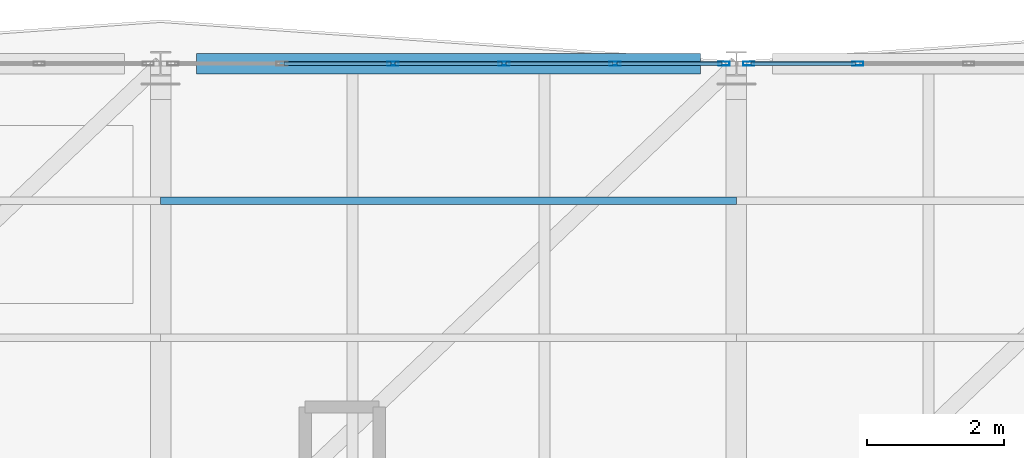
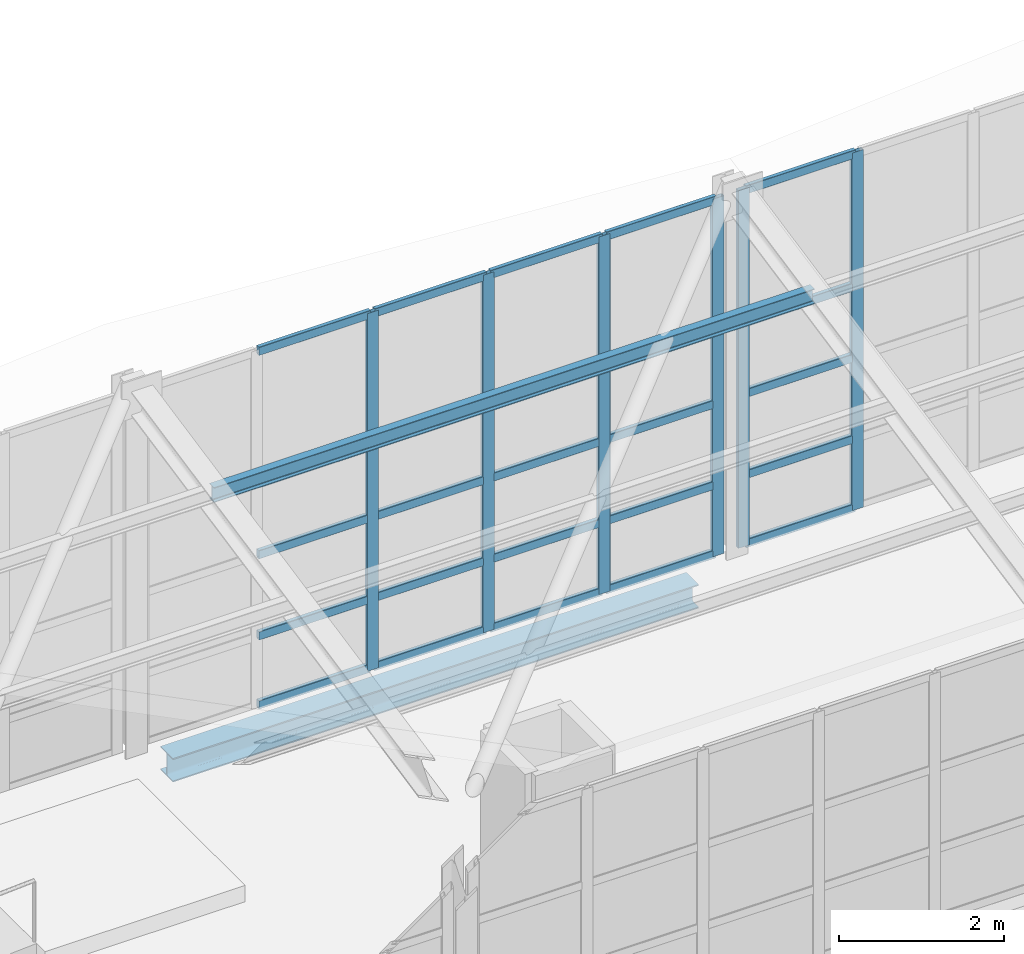
# One storey, part 110 of 177: 32 members, 1 beam, 2 elements without a shape of their own.
"""IFC4 building model written with IfcOpenShell, lengths in metres."""

from ifc_helpers import new_model, si_unit, direction, frame, origin, origin_2d, place, context, subcontext, project, spatial, hollow_rectangle, i_section, extrude, material, layer, layer_set, material_profile, profile_set, type_object, element, aggregate, save


model = new_model("IFC4")

# Units and contexts
model_context = context("Model", 3, precision=1e-05, world=origin(), true_north=direction((0.0, 1.0)))
body_context = subcontext(model_context, "Body", "Model", "MODEL_VIEW")
ifc_project = project(units=[si_unit("LENGTHUNIT", "METRE"), si_unit("AREAUNIT", "SQUARE_METRE"), si_unit("VOLUMEUNIT", "CUBIC_METRE"), si_unit("PLANEANGLEUNIT", "RADIAN"), si_unit("MASSUNIT", "GRAM", prefix="KILO"), si_unit("THERMODYNAMICTEMPERATUREUNIT", "KELVIN"), si_unit("POWERUNIT", "WATT")], contexts=[model_context])

# Site, building, storey
site_placement = place(None, origin())
site = spatial("IfcSite", under=ifc_project, at=site_placement, CompositionType="ELEMENT")
building_placement = place(site_placement, origin())
building = spatial("IfcBuilding", under=site, at=building_placement, Name="Mavoryth Pier Ferry Terminal", CompositionType="ELEMENT")
storey_placement = place(building_placement, frame((0.0, 0.0, 5.43994140625)))
storey = spatial("IfcBuildingStorey", under=building, at=storey_placement, Name="L01", CompositionType="ELEMENT", Elevation=5.43994140625)

# Curtain wall, members
ifc_material_1 = material(Name="Anodised Aluminium and Solar-Control Low-E Glass", Category="aluminium")
ifc_layer = layer(ifc_material_1, 0.139892578125, Name="Anodised Aluminium and Solar-Control Low-E Glass", Category="aluminium")
ifc_layer_set = layer_set([ifc_layer], Name="Anodised Aluminium and Solar-Control Low-E Glass - CW-Gallery-Mod1600")
curtain_wall_type = type_object("IfcCurtainWallType", Name="CW-Gallery-Mod1600", PredefinedType="USERDEFINED", material=ifc_layer_set)
curtain_wall_1_placement = place(storey_placement, origin())
curtain_wall_1 = element("IfcCurtainWall", 1, at=curtain_wall_1_placement, inside=storey, type_object=curtain_wall_type, Name="Curtain Wall CW-0122-086", ObjectType="UNITISED CURTAIN WALL", PredefinedType="USERDEFINED")
ifc_material_2 = material(Name="Anodised Aluminium EN AW-6063", Category="aluminium")
ifc_material_profile_1 = material_profile(ifc_material_2, hollow_rectangle(XDim=0.06005859375, YDim=0.1650390625, WallThickness=0.00390625, InnerFilletRadius=0.00390625, OuterFilletRadius=0.008056640625, at=origin_2d()), Name="AL-MULL 165x60x4", Category="aluminium")
ifc_profile_set_1 = profile_set([ifc_material_profile_1], Name="Anodised Aluminium EN AW-6063 - AL-MULL 165x60x4")
member_type_1 = type_object("IfcMemberType", Name="Mullion-Alum-165x60", PredefinedType="MULLION", material=ifc_profile_set_1)
member_1_placement = place(storey_placement, frame((117.419921875, 114.0, 0.0), z_axis=(0.0, 0.0, 1.0), x_axis=(0.0, -1.0, 0.0)))
member_1 = element("IfcMember", 2, at=member_1_placement, type_object=member_type_1, Name="CW05 mullion 1", PredefinedType="MULLION", context=body_context, shape_type="SweptSolid", body=[
    extrude(hollow_rectangle(XDim=0.06005859375, YDim=0.1650390625, WallThickness=0.00390625, InnerFilletRadius=0.00390625, OuterFilletRadius=0.008056640625, at=origin_2d()), origin(), (0.0, 0.0, 1.0), 5.28759765625),
])
member_2_placement = place(storey_placement, frame((115.830078125, 114.0, 0.0), z_axis=(0.0, 0.0, 1.0), x_axis=(0.0, -1.0, 0.0)))
member_2 = element("IfcMember", 3, at=member_2_placement, type_object=member_type_1, Name="CW05 mullion 2", PredefinedType="MULLION", context=body_context, shape_type="SweptSolid", body=[
    extrude(hollow_rectangle(XDim=0.06005859375, YDim=0.1650390625, WallThickness=0.00390625, InnerFilletRadius=0.00390625, OuterFilletRadius=0.008056640625, at=origin_2d()), origin(), (0.0, 0.0, 1.0), 5.28759765625),
])
member_3_placement = place(storey_placement, frame((114.2099609375, 114.0, 0.0), z_axis=(0.0, 0.0, 1.0), x_axis=(0.0, -1.0, 0.0)))
member_3 = element("IfcMember", 4, at=member_3_placement, type_object=member_type_1, Name="CW05 mullion 3", PredefinedType="MULLION", context=body_context, shape_type="SweptSolid", body=[
    extrude(hollow_rectangle(XDim=0.06005859375, YDim=0.1650390625, WallThickness=0.00390625, InnerFilletRadius=0.00390625, OuterFilletRadius=0.008056640625, at=origin_2d()), origin(), (0.0, 0.0, 1.0), 5.28759765625),
])
member_4_placement = place(storey_placement, frame((112.590087890625, 114.0, 0.0), z_axis=(0.0, 0.0, 1.0), x_axis=(0.0, -1.0, 0.0)))
member_4 = element("IfcMember", 5, at=member_4_placement, type_object=member_type_1, Name="CW05 mullion 4", PredefinedType="MULLION", context=body_context, shape_type="SweptSolid", body=[
    extrude(hollow_rectangle(XDim=0.06005859375, YDim=0.1650390625, WallThickness=0.00390625, InnerFilletRadius=0.00390625, OuterFilletRadius=0.008056640625, at=origin_2d()), origin(), (0.0, 0.0, 1.0), 5.28759765625),
])

curtain_wall_2_placement = place(storey_placement, origin())
curtain_wall_2 = element("IfcCurtainWall", 6, at=curtain_wall_2_placement, inside=storey, type_object=curtain_wall_type, Name="Curtain Wall CW-0122-088", ObjectType="UNITISED CURTAIN WALL", PredefinedType="USERDEFINED")
member_5_placement = place(storey_placement, frame((119.3701171875, 114.0, 0.0), z_axis=(0.0, 0.0, 1.0), x_axis=(0.0, -1.0, 0.0)))
member_5 = element("IfcMember", 7, at=member_5_placement, type_object=member_type_1, Name="CW05 mullion 5", PredefinedType="MULLION", context=body_context, shape_type="SweptSolid", body=[
    extrude(hollow_rectangle(XDim=0.06005859375, YDim=0.1650390625, WallThickness=0.00390625, InnerFilletRadius=0.00390625, OuterFilletRadius=0.008056640625, at=origin_2d()), origin(), (0.0, 0.0, 1.0), 5.28759765625),
])
member_6_placement = place(storey_placement, frame((117.780029296875, 114.0, 0.0), z_axis=(0.0, 0.0, 1.0), x_axis=(0.0, -1.0, 0.0)))
member_6 = element("IfcMember", 8, at=member_6_placement, type_object=member_type_1, Name="CW05 mullion 6", PredefinedType="MULLION", context=body_context, shape_type="SweptSolid", body=[
    extrude(hollow_rectangle(XDim=0.06005859375, YDim=0.1650390625, WallThickness=0.00390625, InnerFilletRadius=0.00390625, OuterFilletRadius=0.008056640625, at=origin_2d()), origin(), (0.0, 0.0, 1.0), 5.28759765625),
])

# Member
ifc_material_3 = material(Name="Steel S355J2", Category="steel")
ifc_material_profile_2 = material_profile(ifc_material_3, i_section(OverallWidth=0.110107421875, OverallDepth=0.219970703125, WebThickness=0.005859375, FlangeThickness=0.00927734375, FilletRadius=0.011962890625, at=origin_2d()), Name="IPE 220", Category="steel")
ifc_profile_set_2 = profile_set([ifc_material_profile_2], Name="Steel S355J2 - IPE 220")
member_type_2 = type_object("IfcMemberType", Name="Purlin-Roof-IPE220", PredefinedType="PURLIN", material=ifc_profile_set_2)
member_7_placement = place(storey_placement, frame((109.199951171875, 112.0, 4.991943359375), z_axis=(1.0, 0.0, 0.0), x_axis=(0.0, 1.0, 0.0)))
element("IfcMember", 9, at=member_7_placement, inside=storey, type_object=member_type_2, Name="Steel Member MB-L01-0280", PredefinedType="PURLIN", context=body_context, shape_type="SweptSolid", body=[
    extrude(i_section(OverallWidth=0.110107421875, OverallDepth=0.219970703125, WebThickness=0.005859375, FlangeThickness=0.00927734375, FilletRadius=0.011962890625, at=origin_2d()), origin(), (0.0, 0.0, 1.0), 8.400146484375),
])

# Beam
ifc_material_profile_3 = material_profile(ifc_material_3, i_section(OverallWidth=0.300048828125, OverallDepth=0.35009765625, WebThickness=0.010009765625, FlangeThickness=0.017578125, FilletRadius=0.027099609375, at=origin_2d()), Name="HEA 360", Category="steel")
ifc_profile_set_3 = profile_set([ifc_material_profile_3], Name="Steel S355J2 - HEA 360")
beam_type = type_object("IfcBeamType", Name="Spandrel-Steel-HEA360", PredefinedType="SPANDREL", material=ifc_profile_set_3)
beam_placement = place(storey_placement, frame((109.72509765625, 114.0, -0.4150390625), z_axis=(1.0, 0.0, 0.0), x_axis=(0.0, 1.0, 0.0)))
element("IfcBeam", 10, at=beam_placement, inside=storey, type_object=beam_type, Name="Beam B01-SP03-0273", PredefinedType="SPANDREL", context=body_context, shape_type="SweptSolid", body=[
    extrude(i_section(OverallWidth=0.300048828125, OverallDepth=0.35009765625, WebThickness=0.010009765625, FlangeThickness=0.017578125, FilletRadius=0.027099609375, at=origin_2d()), origin(), (0.0, 0.0, 1.0), 7.349853515625),
])

# Member
ifc_material_profile_4 = material_profile(ifc_material_2, hollow_rectangle(XDim=0.06005859375, YDim=0.125, WallThickness=0.00390625, InnerFilletRadius=0.00390625, OuterFilletRadius=0.008056640625, at=origin_2d()), Name="AL-TRAN 125x60x4", Category="aluminium")
ifc_profile_set_4 = profile_set([ifc_material_profile_4], Name="Anodised Aluminium EN AW-6063 - AL-TRAN 125x60x4")
member_type_3 = type_object("IfcMemberType", Name="Transom-Alum-125x60", PredefinedType="USERDEFINED", material=ifc_profile_set_4)
member_8_placement = place(storey_placement, frame((117.389892578125, 114.0, 0.030029296875), z_axis=(-1.0, 0.0, 0.0), x_axis=(0.0, -1.0, 0.0)))
member_8 = element("IfcMember", 11, at=member_8_placement, type_object=member_type_3, Name="CW05 transom 1.1", ObjectType="TRANSOM", PredefinedType="USERDEFINED", context=body_context, shape_type="SweptSolid", body=[
    extrude(hollow_rectangle(XDim=0.06005859375, YDim=0.125, WallThickness=0.00390625, InnerFilletRadius=0.00390625, OuterFilletRadius=0.008056640625, at=origin_2d()), origin(), (0.0, 0.0, 1.0), 1.52978515625),
])

member_9_placement = place(storey_placement, frame((117.389892578125, 114.0, 1.050048828125), z_axis=(-1.0, 0.0, 0.0), x_axis=(0.0, -1.0, 0.0)))
member_9 = element("IfcMember", 12, at=member_9_placement, type_object=member_type_3, Name="CW05 transom 1.2", ObjectType="TRANSOM", PredefinedType="USERDEFINED", context=body_context, shape_type="SweptSolid", body=[
    extrude(hollow_rectangle(XDim=0.06005859375, YDim=0.125, WallThickness=0.00390625, InnerFilletRadius=0.00390625, OuterFilletRadius=0.008056640625, at=origin_2d()), origin(), (0.0, 0.0, 1.0), 1.52978515625),
])

member_10_placement = place(storey_placement, frame((117.389892578125, 114.0, 2.25), z_axis=(-1.0, 0.0, 0.0), x_axis=(0.0, -1.0, 0.0)))
member_10 = element("IfcMember", 13, at=member_10_placement, type_object=member_type_3, Name="CW05 transom 1.3", ObjectType="TRANSOM", PredefinedType="USERDEFINED", context=body_context, shape_type="SweptSolid", body=[
    extrude(hollow_rectangle(XDim=0.06005859375, YDim=0.125, WallThickness=0.00390625, InnerFilletRadius=0.00390625, OuterFilletRadius=0.008056640625, at=origin_2d()), origin(), (0.0, 0.0, 1.0), 1.52978515625),
])

member_11_placement = place(storey_placement, frame((117.389892578125, 114.0, 3.300048828125), z_axis=(-1.0, 0.0, 0.0), x_axis=(0.0, -1.0, 0.0)))
member_11 = element("IfcMember", 14, at=member_11_placement, type_object=member_type_3, Name="CW05 transom 1.4", ObjectType="TRANSOM", PredefinedType="USERDEFINED", context=body_context, shape_type="SweptSolid", body=[
    extrude(hollow_rectangle(XDim=0.06005859375, YDim=0.125, WallThickness=0.00390625, InnerFilletRadius=0.00390625, OuterFilletRadius=0.008056640625, at=origin_2d()), origin(), (0.0, 0.0, 1.0), 1.52978515625),
])

member_12_placement = place(storey_placement, frame((117.389892578125, 114.0, 5.257568359375), z_axis=(-1.0, 0.0, 0.0), x_axis=(0.0, -1.0, 0.0)))
member_12 = element("IfcMember", 15, at=member_12_placement, type_object=member_type_3, Name="CW05 transom 1.5", ObjectType="TRANSOM", PredefinedType="USERDEFINED", context=body_context, shape_type="SweptSolid", body=[
    extrude(hollow_rectangle(XDim=0.06005859375, YDim=0.125, WallThickness=0.00390625, InnerFilletRadius=0.00390625, OuterFilletRadius=0.008056640625, at=origin_2d()), origin(), (0.0, 0.0, 1.0), 1.52978515625),
])

member_13_placement = place(storey_placement, frame((115.800048828125, 114.0, 0.030029296875), z_axis=(-1.0, 0.0, 0.0), x_axis=(0.0, -1.0, 0.0)))
member_13 = element("IfcMember", 16, at=member_13_placement, type_object=member_type_3, Name="CW05 transom 2.1", ObjectType="TRANSOM", PredefinedType="USERDEFINED", context=body_context, shape_type="SweptSolid", body=[
    extrude(hollow_rectangle(XDim=0.06005859375, YDim=0.125, WallThickness=0.00390625, InnerFilletRadius=0.00390625, OuterFilletRadius=0.008056640625, at=origin_2d()), origin(), (0.0, 0.0, 1.0), 1.56005859375),
])

member_14_placement = place(storey_placement, frame((115.800048828125, 114.0, 1.050048828125), z_axis=(-1.0, 0.0, 0.0), x_axis=(0.0, -1.0, 0.0)))
member_14 = element("IfcMember", 17, at=member_14_placement, type_object=member_type_3, Name="CW05 transom 2.2", ObjectType="TRANSOM", PredefinedType="USERDEFINED", context=body_context, shape_type="SweptSolid", body=[
    extrude(hollow_rectangle(XDim=0.06005859375, YDim=0.125, WallThickness=0.00390625, InnerFilletRadius=0.00390625, OuterFilletRadius=0.008056640625, at=origin_2d()), origin(), (0.0, 0.0, 1.0), 1.56005859375),
])

member_15_placement = place(storey_placement, frame((115.800048828125, 114.0, 2.25), z_axis=(-1.0, 0.0, 0.0), x_axis=(0.0, -1.0, 0.0)))
member_15 = element("IfcMember", 18, at=member_15_placement, type_object=member_type_3, Name="CW05 transom 2.3", ObjectType="TRANSOM", PredefinedType="USERDEFINED", context=body_context, shape_type="SweptSolid", body=[
    extrude(hollow_rectangle(XDim=0.06005859375, YDim=0.125, WallThickness=0.00390625, InnerFilletRadius=0.00390625, OuterFilletRadius=0.008056640625, at=origin_2d()), origin(), (0.0, 0.0, 1.0), 1.56005859375),
])

member_16_placement = place(storey_placement, frame((115.800048828125, 114.0, 3.300048828125), z_axis=(-1.0, 0.0, 0.0), x_axis=(0.0, -1.0, 0.0)))
member_16 = element("IfcMember", 19, at=member_16_placement, type_object=member_type_3, Name="CW05 transom 2.4", ObjectType="TRANSOM", PredefinedType="USERDEFINED", context=body_context, shape_type="SweptSolid", body=[
    extrude(hollow_rectangle(XDim=0.06005859375, YDim=0.125, WallThickness=0.00390625, InnerFilletRadius=0.00390625, OuterFilletRadius=0.008056640625, at=origin_2d()), origin(), (0.0, 0.0, 1.0), 1.56005859375),
])

member_17_placement = place(storey_placement, frame((115.800048828125, 114.0, 5.257568359375), z_axis=(-1.0, 0.0, 0.0), x_axis=(0.0, -1.0, 0.0)))
member_17 = element("IfcMember", 20, at=member_17_placement, type_object=member_type_3, Name="CW05 transom 2.5", ObjectType="TRANSOM", PredefinedType="USERDEFINED", context=body_context, shape_type="SweptSolid", body=[
    extrude(hollow_rectangle(XDim=0.06005859375, YDim=0.125, WallThickness=0.00390625, InnerFilletRadius=0.00390625, OuterFilletRadius=0.008056640625, at=origin_2d()), origin(), (0.0, 0.0, 1.0), 1.56005859375),
])

member_18_placement = place(storey_placement, frame((114.179931640625, 114.0, 0.030029296875), z_axis=(-1.0, 0.0, 0.0), x_axis=(0.0, -1.0, 0.0)))
member_18 = element("IfcMember", 21, at=member_18_placement, type_object=member_type_3, Name="CW05 transom 3.1", ObjectType="TRANSOM", PredefinedType="USERDEFINED", context=body_context, shape_type="SweptSolid", body=[
    extrude(hollow_rectangle(XDim=0.06005859375, YDim=0.125, WallThickness=0.00390625, InnerFilletRadius=0.00390625, OuterFilletRadius=0.008056640625, at=origin_2d()), origin(), (0.0, 0.0, 1.0), 1.559814453125),
])

member_19_placement = place(storey_placement, frame((114.179931640625, 114.0, 1.050048828125), z_axis=(-1.0, 0.0, 0.0), x_axis=(0.0, -1.0, 0.0)))
member_19 = element("IfcMember", 22, at=member_19_placement, type_object=member_type_3, Name="CW05 transom 3.2", ObjectType="TRANSOM", PredefinedType="USERDEFINED", context=body_context, shape_type="SweptSolid", body=[
    extrude(hollow_rectangle(XDim=0.06005859375, YDim=0.125, WallThickness=0.00390625, InnerFilletRadius=0.00390625, OuterFilletRadius=0.008056640625, at=origin_2d()), origin(), (0.0, 0.0, 1.0), 1.559814453125),
])

member_20_placement = place(storey_placement, frame((114.179931640625, 114.0, 2.25), z_axis=(-1.0, 0.0, 0.0), x_axis=(0.0, -1.0, 0.0)))
member_20 = element("IfcMember", 23, at=member_20_placement, type_object=member_type_3, Name="CW05 transom 3.3", ObjectType="TRANSOM", PredefinedType="USERDEFINED", context=body_context, shape_type="SweptSolid", body=[
    extrude(hollow_rectangle(XDim=0.06005859375, YDim=0.125, WallThickness=0.00390625, InnerFilletRadius=0.00390625, OuterFilletRadius=0.008056640625, at=origin_2d()), origin(), (0.0, 0.0, 1.0), 1.559814453125),
])

member_21_placement = place(storey_placement, frame((114.179931640625, 114.0, 3.300048828125), z_axis=(-1.0, 0.0, 0.0), x_axis=(0.0, -1.0, 0.0)))
member_21 = element("IfcMember", 24, at=member_21_placement, type_object=member_type_3, Name="CW05 transom 3.4", ObjectType="TRANSOM", PredefinedType="USERDEFINED", context=body_context, shape_type="SweptSolid", body=[
    extrude(hollow_rectangle(XDim=0.06005859375, YDim=0.125, WallThickness=0.00390625, InnerFilletRadius=0.00390625, OuterFilletRadius=0.008056640625, at=origin_2d()), origin(), (0.0, 0.0, 1.0), 1.559814453125),
])

member_22_placement = place(storey_placement, frame((114.179931640625, 114.0, 5.257568359375), z_axis=(-1.0, 0.0, 0.0), x_axis=(0.0, -1.0, 0.0)))
member_22 = element("IfcMember", 25, at=member_22_placement, type_object=member_type_3, Name="CW05 transom 3.5", ObjectType="TRANSOM", PredefinedType="USERDEFINED", context=body_context, shape_type="SweptSolid", body=[
    extrude(hollow_rectangle(XDim=0.06005859375, YDim=0.125, WallThickness=0.00390625, InnerFilletRadius=0.00390625, OuterFilletRadius=0.008056640625, at=origin_2d()), origin(), (0.0, 0.0, 1.0), 1.559814453125),
])

member_23_placement = place(storey_placement, frame((112.56005859375, 114.0, 0.030029296875), z_axis=(-1.0, 0.0, 0.0), x_axis=(0.0, -1.0, 0.0)))
member_23 = element("IfcMember", 26, at=member_23_placement, type_object=member_type_3, Name="CW05 transom 4.1", ObjectType="TRANSOM", PredefinedType="USERDEFINED", context=body_context, shape_type="SweptSolid", body=[
    extrude(hollow_rectangle(XDim=0.06005859375, YDim=0.125, WallThickness=0.00390625, InnerFilletRadius=0.00390625, OuterFilletRadius=0.008056640625, at=origin_2d()), origin(), (0.0, 0.0, 1.0), 1.56005859375),
])

member_24_placement = place(storey_placement, frame((112.56005859375, 114.0, 1.050048828125), z_axis=(-1.0, 0.0, 0.0), x_axis=(0.0, -1.0, 0.0)))
member_24 = element("IfcMember", 27, at=member_24_placement, type_object=member_type_3, Name="CW05 transom 4.2", ObjectType="TRANSOM", PredefinedType="USERDEFINED", context=body_context, shape_type="SweptSolid", body=[
    extrude(hollow_rectangle(XDim=0.06005859375, YDim=0.125, WallThickness=0.00390625, InnerFilletRadius=0.00390625, OuterFilletRadius=0.008056640625, at=origin_2d()), origin(), (0.0, 0.0, 1.0), 1.56005859375),
])

member_25_placement = place(storey_placement, frame((112.56005859375, 114.0, 2.25), z_axis=(-1.0, 0.0, 0.0), x_axis=(0.0, -1.0, 0.0)))
member_25 = element("IfcMember", 28, at=member_25_placement, type_object=member_type_3, Name="CW05 transom 4.3", ObjectType="TRANSOM", PredefinedType="USERDEFINED", context=body_context, shape_type="SweptSolid", body=[
    extrude(hollow_rectangle(XDim=0.06005859375, YDim=0.125, WallThickness=0.00390625, InnerFilletRadius=0.00390625, OuterFilletRadius=0.008056640625, at=origin_2d()), origin(), (0.0, 0.0, 1.0), 1.56005859375),
])

member_26_placement = place(storey_placement, frame((112.56005859375, 114.0, 3.300048828125), z_axis=(-1.0, 0.0, 0.0), x_axis=(0.0, -1.0, 0.0)))
member_26 = element("IfcMember", 29, at=member_26_placement, type_object=member_type_3, Name="CW05 transom 4.4", ObjectType="TRANSOM", PredefinedType="USERDEFINED", context=body_context, shape_type="SweptSolid", body=[
    extrude(hollow_rectangle(XDim=0.06005859375, YDim=0.125, WallThickness=0.00390625, InnerFilletRadius=0.00390625, OuterFilletRadius=0.008056640625, at=origin_2d()), origin(), (0.0, 0.0, 1.0), 1.56005859375),
])

member_27_placement = place(storey_placement, frame((112.56005859375, 114.0, 5.257568359375), z_axis=(-1.0, 0.0, 0.0), x_axis=(0.0, -1.0, 0.0)))
member_27 = element("IfcMember", 30, at=member_27_placement, type_object=member_type_3, Name="CW05 transom 4.5", ObjectType="TRANSOM", PredefinedType="USERDEFINED", context=body_context, shape_type="SweptSolid", body=[
    extrude(hollow_rectangle(XDim=0.06005859375, YDim=0.125, WallThickness=0.00390625, InnerFilletRadius=0.00390625, OuterFilletRadius=0.008056640625, at=origin_2d()), origin(), (0.0, 0.0, 1.0), 1.56005859375),
])

aggregate(curtain_wall_1, [member_1, member_2, member_3, member_4, member_8, member_9, member_10, member_11, member_12, member_13, member_14, member_15, member_16, member_17, member_18, member_19, member_20, member_21, member_22, member_23, member_24, member_25, member_26, member_27])

member_28_placement = place(storey_placement, frame((119.340087890625, 114.0, 0.030029296875), z_axis=(-1.0, 0.0, 0.0), x_axis=(0.0, -1.0, 0.0)))
member_28 = element("IfcMember", 31, at=member_28_placement, type_object=member_type_3, Name="CW05 transom 5.1", ObjectType="TRANSOM", PredefinedType="USERDEFINED", context=body_context, shape_type="SweptSolid", body=[
    extrude(hollow_rectangle(XDim=0.06005859375, YDim=0.125, WallThickness=0.00390625, InnerFilletRadius=0.00390625, OuterFilletRadius=0.008056640625, at=origin_2d()), origin(), (0.0, 0.0, 1.0), 1.530029296875),
])

member_29_placement = place(storey_placement, frame((119.340087890625, 114.0, 1.050048828125), z_axis=(-1.0, 0.0, 0.0), x_axis=(0.0, -1.0, 0.0)))
member_29 = element("IfcMember", 32, at=member_29_placement, type_object=member_type_3, Name="CW05 transom 5.2", ObjectType="TRANSOM", PredefinedType="USERDEFINED", context=body_context, shape_type="SweptSolid", body=[
    extrude(hollow_rectangle(XDim=0.06005859375, YDim=0.125, WallThickness=0.00390625, InnerFilletRadius=0.00390625, OuterFilletRadius=0.008056640625, at=origin_2d()), origin(), (0.0, 0.0, 1.0), 1.530029296875),
])

member_30_placement = place(storey_placement, frame((119.340087890625, 114.0, 2.25), z_axis=(-1.0, 0.0, 0.0), x_axis=(0.0, -1.0, 0.0)))
member_30 = element("IfcMember", 33, at=member_30_placement, type_object=member_type_3, Name="CW05 transom 5.3", ObjectType="TRANSOM", PredefinedType="USERDEFINED", context=body_context, shape_type="SweptSolid", body=[
    extrude(hollow_rectangle(XDim=0.06005859375, YDim=0.125, WallThickness=0.00390625, InnerFilletRadius=0.00390625, OuterFilletRadius=0.008056640625, at=origin_2d()), origin(), (0.0, 0.0, 1.0), 1.530029296875),
])

member_31_placement = place(storey_placement, frame((119.340087890625, 114.0, 3.300048828125), z_axis=(-1.0, 0.0, 0.0), x_axis=(0.0, -1.0, 0.0)))
member_31 = element("IfcMember", 34, at=member_31_placement, type_object=member_type_3, Name="CW05 transom 5.4", ObjectType="TRANSOM", PredefinedType="USERDEFINED", context=body_context, shape_type="SweptSolid", body=[
    extrude(hollow_rectangle(XDim=0.06005859375, YDim=0.125, WallThickness=0.00390625, InnerFilletRadius=0.00390625, OuterFilletRadius=0.008056640625, at=origin_2d()), origin(), (0.0, 0.0, 1.0), 1.530029296875),
])

member_32_placement = place(storey_placement, frame((119.340087890625, 114.0, 5.257568359375), z_axis=(-1.0, 0.0, 0.0), x_axis=(0.0, -1.0, 0.0)))
member_32 = element("IfcMember", 35, at=member_32_placement, type_object=member_type_3, Name="CW05 transom 5.5", ObjectType="TRANSOM", PredefinedType="USERDEFINED", context=body_context, shape_type="SweptSolid", body=[
    extrude(hollow_rectangle(XDim=0.06005859375, YDim=0.125, WallThickness=0.00390625, InnerFilletRadius=0.00390625, OuterFilletRadius=0.008056640625, at=origin_2d()), origin(), (0.0, 0.0, 1.0), 1.530029296875),
])

aggregate(curtain_wall_2, [member_5, member_6, member_28, member_29, member_30, member_31, member_32])

save(model, "model.ifc")
